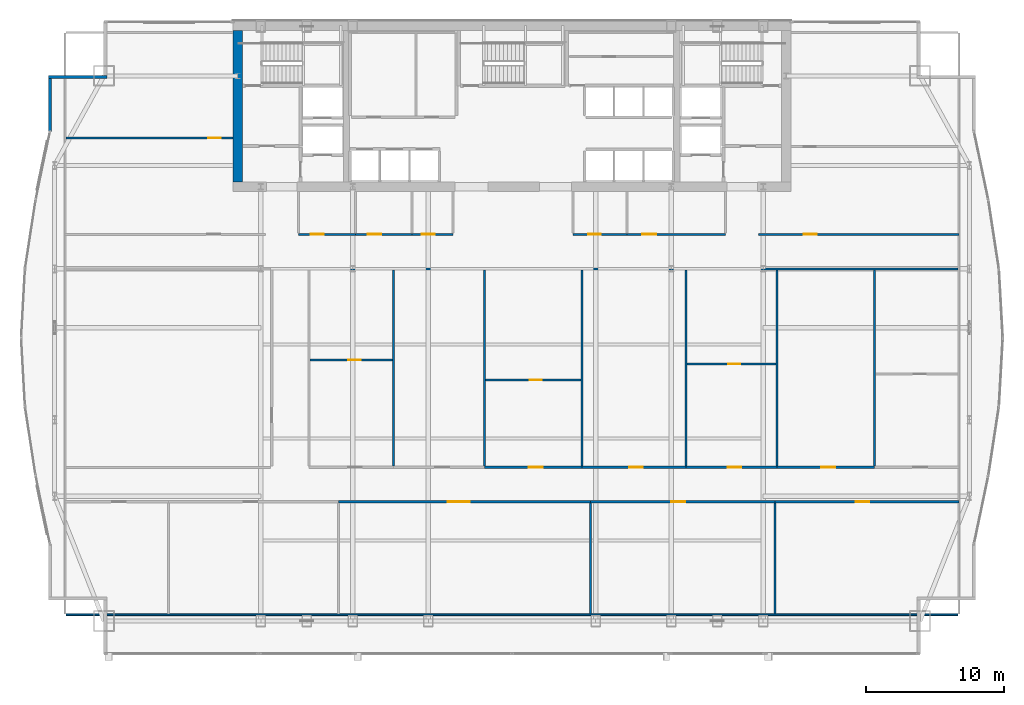
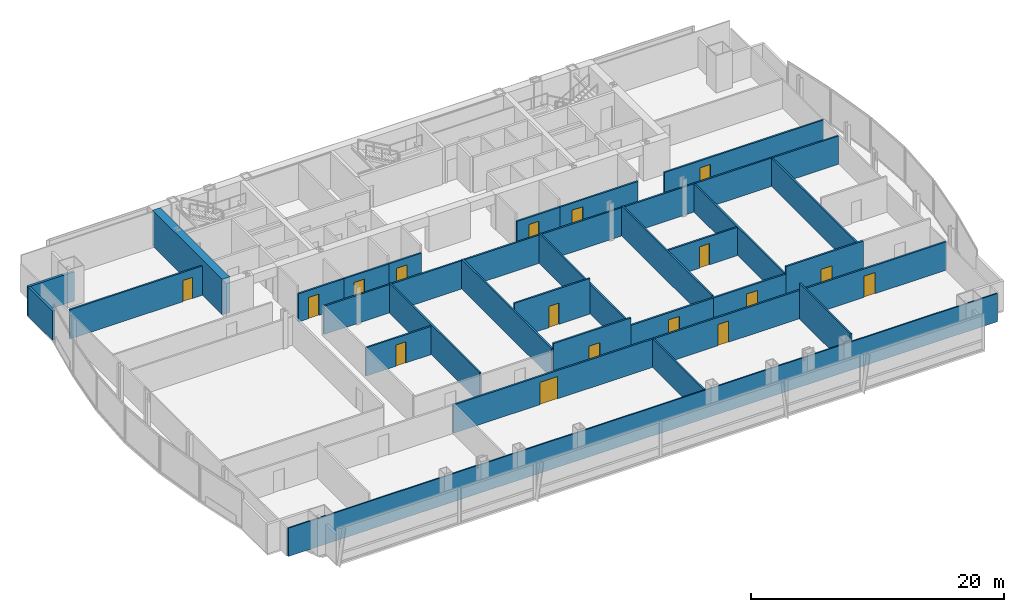
# One storey, part 28 of 33: 30 walls, 17 doors, 17 openings.
"""IFC4 building model written with IfcOpenShell, lengths in metres."""

from ifc_helpers import new_model, si_unit, direction, frame, frame_2d, origin, place, context, subcontext, project, spatial, rectangle, extrude, material, layer, layer_set, type_object, element, fill, save


model = new_model("IFC4")

# Units and contexts
model_context = context("Model", 3, precision=1e-05, world=origin(), true_north=direction((0.0, 1.0)))
body_context = subcontext(model_context, "Body", "Model", "MODEL_VIEW")
ifc_project = project(units=[si_unit("LENGTHUNIT", "METRE"), si_unit("AREAUNIT", "SQUARE_METRE"), si_unit("VOLUMEUNIT", "CUBIC_METRE"), si_unit("PLANEANGLEUNIT", "RADIAN"), si_unit("MASSUNIT", "GRAM", prefix="KILO")], contexts=[model_context])

# Site, building, storey
site_placement = place(None, origin())
site = spatial("IfcSite", under=ifc_project, at=site_placement, CompositionType="ELEMENT")
building_placement = place(site_placement, origin())
building = spatial("IfcBuilding", under=site, at=building_placement, Name="Khoronbel Lancet Exchange", CompositionType="ELEMENT")
storey_placement = place(building_placement, frame((0.0, 0.0, 114.60009765625)))
storey = spatial("IfcBuildingStorey", under=building, at=storey_placement, Name="L27", CompositionType="ELEMENT", Elevation=114.60009765625)

# Walls
ifc_material_1 = material(Name="Concrete C80/95", Category="concrete")
ifc_layer_1 = layer(ifc_material_1, 0.699951171875, Name="Concrete C80/95")
ifc_layer_set_1 = layer_set([ifc_layer_1], Name="Concrete C80/95")
wall_type_1 = type_object("IfcWallType", Name="WL-CW2", PredefinedType="SHEAR", material=ifc_layer_set_1)
wall_1_placement = place(storey_placement, frame((16.550048828125, 42.0, 0.0), z_axis=(0.0, 0.0, 1.0), x_axis=(0.0, 1.0, 0.0)))
element("IfcWall", 1, at=wall_1_placement, inside=storey, type_object=wall_type_1, Name="Level L27 rear core west shear wall", PredefinedType="SHEAR", context=body_context, shape_type="SweptSolid", body=[
    extrude(rectangle(XDim=11.0, YDim=0.699951171875, at=frame_2d((5.5, 0.0))), origin(), (0.0, 0.0, 1.0), 3.43994140625),
])
ifc_material_2 = material(Name="Precast concrete C40/50", Category="concrete")
ifc_layer_2 = layer(ifc_material_2, 0.25, Name="Precast concrete C40/50")
ifc_layer_set_2 = layer_set([ifc_layer_2], Name="Precast concrete C40/50")
wall_type_2 = type_object("IfcWallType", Name="WL-EXT250", PredefinedType="SOLIDWALL", material=ifc_layer_set_2)
wall_2_placement = place(storey_placement, frame((2.93994140625, 45.670654296875, 0.0), z_axis=(0.0, 0.0, 1.0), x_axis=(0.0, 1.0, 0.0)))
element("IfcWall", 2, at=wall_2_placement, inside=storey, type_object=wall_type_2, Name="Level L27 notched-corner limestone pier 10", PredefinedType="SOLIDWALL", context=body_context, shape_type="SweptSolid", body=[
    extrude(rectangle(XDim=3.829345703125, YDim=0.219970703125, at=frame_2d((1.91455078125, 0.0))), origin(), (0.0, 0.0, 1.0), 2.829833984375),
])
wall_3_placement = place(storey_placement, frame((2.830078125, 49.610107421875, 0.0), z_axis=(0.0, 0.0, 1.0), x_axis=(1.0, 0.0, 0.0)))
element("IfcWall", 3, at=wall_3_placement, inside=storey, type_object=wall_type_2, Name="Level L27 notched-corner limestone pier 11", PredefinedType="SOLIDWALL", context=body_context, shape_type="SweptSolid", body=[
    extrude(rectangle(XDim=4.219970703125, YDim=0.219970703125, at=frame_2d((2.10986328125, 0.0))), origin(), (0.0, 0.0, 1.0), 2.829833984375),
])

# Wall, opening, door
ifc_material_3 = material(Name="Acoustic Metal-Stud & Mineral-Wool Gypsum Partition 120 mm", Category="gypsum")
ifc_layer_3 = layer(ifc_material_3, 0.1201171875, Name="Acoustic Metal-Stud & Mineral-Wool Gypsum Partition 120 mm")
ifc_layer_set_3 = layer_set([ifc_layer_3], Name="Acoustic Metal-Stud & Mineral-Wool Gypsum Partition 120 mm")
wall_type_3 = type_object("IfcWallType", Name="WL-PRT120", PredefinedType="PARTITIONING", material=ifc_layer_set_3)
wall_4_placement = place(storey_placement, frame((4.094970703125, 45.199951171875, 0.0), z_axis=(0.0, 0.0, 1.0), x_axis=(1.0, 0.0, 0.0)))
wall_4 = element("IfcWall", 4, at=wall_4_placement, inside=storey, type_object=wall_type_3, Name="Level L27 interior partition PW-NW-H", PredefinedType="PARTITIONING", context=body_context, shape_type="SweptSolid", body=[
    extrude(rectangle(XDim=12.10498046875, YDim=0.14990234375, at=frame_2d((6.052490234375, 0.0))), origin(), (0.0, 0.0, 1.0), 2.829833984375),
])
opening_1_placement = place(wall_4_placement, frame((10.320068359375, 0.0, 0.0)))
opening_1 = element("IfcOpeningElement", 5, at=opening_1_placement, cuts=wall_4, Name="Opening D5", PredefinedType="OPENING", context=body_context, shape_type="SweptSolid", body=[
    extrude(rectangle(XDim=0.89990234375, YDim=2.050048828125, at=frame_2d((0.449951171875, 1.02490234375))), frame((0.0, 0.0849609375, 0.0), z_axis=(0.0, -1.0, 0.0), x_axis=(1.0, 0.0, 0.0)), (0.0, 0.0, 1.0), 0.169921875),
])
ifc_material_4 = material(Name="Acoustic Timber Pantry & Support Door", Category="wood")
door_type_1 = type_object("IfcDoorType", Name="DR-D5", OperationType="NOTDEFINED", PredefinedType="DOOR", material=ifc_material_4)
door_1_placement = place(opening_1_placement, origin())
door_1 = element("IfcDoor", 6, at=door_1_placement, inside=storey, type_object=door_type_1, Name="NW north room door L27-1", OperationType="SINGLE_SWING_RIGHT", OverallHeight=2.050048828125, OverallWidth=0.89990234375, PredefinedType="DOOR", context=body_context, shape_type="SweptSolid", body=[
    extrude(rectangle(XDim=0.89990234375, YDim=2.050048828125, at=frame_2d((0.449951171875, 1.02490234375))), frame((0.0, 0.02490234375, 0.0), z_axis=(0.0, -1.0, 0.0), x_axis=(1.0, 0.0, 0.0)), (0.0, 0.0, 1.0), 0.050048828125),
])
fill(opening_1, door_1)

wall_5_placement = place(storey_placement, frame((21.81005859375, 29.075927734375, 0.0), z_axis=(0.0, 0.0, 1.0), x_axis=(1.0, 0.0, 0.0)))
wall_5 = element("IfcWall", 7, at=wall_5_placement, inside=storey, type_object=wall_type_3, Name="Level L27 interior partition PW-Z2N-H1", PredefinedType="PARTITIONING", context=body_context, shape_type="SweptSolid", body=[
    extrude(rectangle(XDim=5.96826171875, YDim=0.14990234375, at=frame_2d((2.984130859375, 0.0))), origin(), (0.0, 0.0, 1.0), 2.72998046875),
])
opening_2_placement = place(wall_5_placement, frame((2.7578125, 0.0, 0.0)))
opening_2 = element("IfcOpeningElement", 8, at=opening_2_placement, cuts=wall_5, Name="Opening D5", PredefinedType="OPENING", context=body_context, shape_type="SweptSolid", body=[
    extrude(rectangle(XDim=0.89990234375, YDim=2.050048828125, at=frame_2d((0.449951171875, 1.02490234375))), frame((0.0, 0.0849609375, 0.0), z_axis=(0.0, -1.0, 0.0), x_axis=(1.0, 0.0, 0.0)), (0.0, 0.0, 1.0), 0.169921875),
])
door_2_placement = place(opening_2_placement, origin())
door_2 = element("IfcDoor", 9, at=door_2_placement, inside=storey, type_object=door_type_1, Name="Z2N inner door 1 L27-1", OperationType="SINGLE_SWING_RIGHT", OverallHeight=2.050048828125, OverallWidth=0.89990234375, PredefinedType="DOOR", context=body_context, shape_type="SweptSolid", body=[
    extrude(rectangle(XDim=0.89990234375, YDim=2.050048828125, at=frame_2d((0.449951171875, 1.02490234375))), frame((0.0, 0.02490234375, 0.0), z_axis=(0.0, -1.0, 0.0), x_axis=(1.0, 0.0, 0.0)), (0.0, 0.0, 1.0), 0.050048828125),
])
fill(opening_2, door_2)

wall_6_placement = place(storey_placement, frame((34.537841796875, 27.635986328125, 0.0), z_axis=(0.0, 0.0, 1.0), x_axis=(1.0, 0.0, 0.0)))
wall_6 = element("IfcWall", 10, at=wall_6_placement, inside=storey, type_object=wall_type_3, Name="Level L27 interior partition PW-Z2N-H3", PredefinedType="PARTITIONING", context=body_context, shape_type="SweptSolid", body=[
    extrude(rectangle(XDim=6.910888671875, YDim=0.14990234375, at=frame_2d((3.45556640625, 0.0))), origin(), (0.0, 0.0, 1.0), 3.43994140625),
])
opening_3_placement = place(wall_6_placement, frame((3.181884765625, 0.0, 0.0)))
opening_3 = element("IfcOpeningElement", 11, at=opening_3_placement, cuts=wall_6, Name="Opening D5", PredefinedType="OPENING", context=body_context, shape_type="SweptSolid", body=[
    extrude(rectangle(XDim=0.89990234375, YDim=2.050048828125, at=frame_2d((0.449951171875, 1.02490234375))), frame((0.0, 0.0849609375, 0.0), z_axis=(0.0, -1.0, 0.0), x_axis=(1.0, 0.0, 0.0)), (0.0, 0.0, 1.0), 0.169921875),
])
door_3_placement = place(opening_3_placement, origin())
door_3 = element("IfcDoor", 12, at=door_3_placement, inside=storey, type_object=door_type_1, Name="Z2N inner door 3 L27-1", OperationType="SINGLE_SWING_LEFT", OverallHeight=2.050048828125, OverallWidth=0.89990234375, PredefinedType="DOOR", context=body_context, shape_type="SweptSolid", body=[
    extrude(rectangle(XDim=0.89990234375, YDim=2.050048828125, at=frame_2d((0.449951171875, 1.02490234375))), frame((0.0, 0.02490234375, 0.0), z_axis=(0.0, -1.0, 0.0), x_axis=(1.0, 0.0, 0.0)), (0.0, 0.0, 1.0), 0.050048828125),
])
fill(opening_3, door_3)

wall_7_placement = place(storey_placement, frame((49.151123046875, 28.7880859375, 0.0), z_axis=(0.0, 0.0, 1.0), x_axis=(1.0, 0.0, 0.0)))
wall_7 = element("IfcWall", 13, at=wall_7_placement, inside=storey, type_object=wall_type_3, Name="Level L27 interior partition PW-Z2N-H5", PredefinedType="PARTITIONING", context=body_context, shape_type="SweptSolid", body=[
    extrude(rectangle(XDim=6.439697265625, YDim=0.14990234375, at=frame_2d((3.2197265625, 0.0))), origin(), (0.0, 0.0, 1.0), 2.72998046875),
])
opening_4_placement = place(wall_7_placement, frame((2.9697265625, 0.0, 0.0)))
opening_4 = element("IfcOpeningElement", 14, at=opening_4_placement, cuts=wall_7, Name="Opening D5", PredefinedType="OPENING", context=body_context, shape_type="SweptSolid", body=[
    extrude(rectangle(XDim=0.89990234375, YDim=2.050048828125, at=frame_2d((0.449951171875, 1.02490234375))), frame((0.0, 0.0849609375, 0.0), z_axis=(0.0, -1.0, 0.0), x_axis=(1.0, 0.0, 0.0)), (0.0, 0.0, 1.0), 0.169921875),
])
door_4_placement = place(opening_4_placement, origin())
door_4 = element("IfcDoor", 15, at=door_4_placement, inside=storey, type_object=door_type_1, Name="Z2N inner door 5 L27-1", OperationType="SINGLE_SWING_RIGHT", OverallHeight=2.050048828125, OverallWidth=0.89990234375, PredefinedType="DOOR", context=body_context, shape_type="SweptSolid", body=[
    extrude(rectangle(XDim=0.89990234375, YDim=2.050048828125, at=frame_2d((0.449951171875, 1.02490234375))), frame((0.0, 0.02490234375, 0.0), z_axis=(0.0, -1.0, 0.0), x_axis=(1.0, 0.0, 0.0)), (0.0, 0.0, 1.0), 0.050048828125),
])
fill(opening_4, door_4)

# Wall
wall_8_placement = place(storey_placement, frame((4.094970703125, 10.60009765625, 0.0), z_axis=(0.0, 0.0, 1.0), x_axis=(1.0, 0.0, 0.0)))
element("IfcWall", 16, at=wall_8_placement, inside=storey, type_object=wall_type_3, Name="Level L27 interior partition PW-LIN-S", PredefinedType="PARTITIONING", context=body_context, shape_type="SweptSolid", body=[
    extrude(rectangle(XDim=64.7099609375, YDim=0.1201171875, at=frame_2d((32.35498046875, 0.0))), origin(), (0.0, 0.0, 1.0), 2.72998046875),
])

# Wall, opening, door
ifc_material_5 = material(Name="Fire-Rated Twin-Stud Acoustic Gypsum Partition 150 mm", Category="gypsum")
ifc_layer_4 = layer(ifc_material_5, 0.14990234375, Name="Fire-Rated Twin-Stud Acoustic Gypsum Partition 150 mm")
ifc_layer_set_4 = layer_set([ifc_layer_4], Name="Fire-Rated Twin-Stud Acoustic Gypsum Partition 150 mm")
wall_type_4 = type_object("IfcWallType", Name="WL-PRT150C", PredefinedType="PARTITIONING", material=ifc_layer_set_4)
wall_9_placement = place(storey_placement, frame((20.949951171875, 38.199951171875, 0.0), z_axis=(0.0, 0.0, 1.0), x_axis=(1.0, 0.0, 0.0)))
wall_9 = element("IfcWall", 17, at=wall_9_placement, inside=storey, type_object=wall_type_4, Name="Level L27 interior partition PW-WC-S1", PredefinedType="PARTITIONING", context=body_context, shape_type="SweptSolid", body=[
    extrude(rectangle(XDim=4.150146484375, YDim=0.14990234375, at=frame_2d((2.0751953125, 0.0))), origin(), (0.0, 0.0, 1.0), 2.72998046875),
])
opening_5_placement = place(wall_9_placement, frame((0.89990234375, 0.0, 0.0)))
opening_5 = element("IfcOpeningElement", 18, at=opening_5_placement, cuts=wall_9, Name="Opening D4", PredefinedType="OPENING", context=body_context, shape_type="SweptSolid", body=[
    extrude(rectangle(XDim=0.949951171875, YDim=2.050048828125, at=frame_2d((0.47509765625, 1.02490234375))), frame((0.0, 0.0849609375, 0.0), z_axis=(0.0, -1.0, 0.0), x_axis=(1.0, 0.0, 0.0)), (0.0, 0.0, 1.0), 0.169921875),
])
ifc_material_6 = material(Name="Moisture-Resistant HPL Washroom Door", Category="wood")
door_type_2 = type_object("IfcDoorType", Name="DR-D4", OperationType="NOTDEFINED", PredefinedType="DOOR", material=ifc_material_6)
door_5_placement = place(opening_5_placement, origin())
door_5 = element("IfcDoor", 19, at=door_5_placement, inside=storey, type_object=door_type_2, Name="Male washroom door L27-1", OperationType="SINGLE_SWING_LEFT", OverallHeight=2.050048828125, OverallWidth=0.949951171875, PredefinedType="DOOR", context=body_context, shape_type="SweptSolid", body=[
    extrude(rectangle(XDim=0.949951171875, YDim=2.050048828125, at=frame_2d((0.47509765625, 1.02490234375))), frame((0.0, 0.02490234375, 0.0), z_axis=(0.0, -1.0, 0.0), x_axis=(1.0, 0.0, 0.0)), (0.0, 0.0, 1.0), 0.050048828125),
])
fill(opening_5, door_5)

wall_10_placement = place(storey_placement, frame((25.10009765625, 38.199951171875, 0.0), z_axis=(0.0, 0.0, 1.0), x_axis=(1.0, 0.0, 0.0)))
wall_10 = element("IfcWall", 20, at=wall_10_placement, inside=storey, type_object=wall_type_4, Name="Level L27 interior partition PW-WC-S2", PredefinedType="PARTITIONING", context=body_context, shape_type="SweptSolid", body=[
    extrude(rectangle(XDim=4.099853515625, YDim=0.14990234375, at=frame_2d((2.0498046875, 0.0))), origin(), (0.0, 0.0, 1.0), 2.72998046875),
])
opening_6_placement = place(wall_10_placement, frame((0.89990234375, 0.0, 0.0)))
opening_6 = element("IfcOpeningElement", 21, at=opening_6_placement, cuts=wall_10, Name="Opening D4", PredefinedType="OPENING", context=body_context, shape_type="SweptSolid", body=[
    extrude(rectangle(XDim=0.949951171875, YDim=2.050048828125, at=frame_2d((0.47509765625, 1.02490234375))), frame((0.0, 0.0849609375, 0.0), z_axis=(0.0, -1.0, 0.0), x_axis=(1.0, 0.0, 0.0)), (0.0, 0.0, 1.0), 0.169921875),
])
door_6_placement = place(opening_6_placement, origin())
door_6 = element("IfcDoor", 22, at=door_6_placement, inside=storey, type_object=door_type_2, Name="Female washroom door L27-1", OperationType="SINGLE_SWING_RIGHT", OverallHeight=2.050048828125, OverallWidth=0.949951171875, PredefinedType="DOOR", context=body_context, shape_type="SweptSolid", body=[
    extrude(rectangle(XDim=0.949951171875, YDim=2.050048828125, at=frame_2d((0.47509765625, 1.02490234375))), frame((0.0, 0.02490234375, 0.0), z_axis=(0.0, -1.0, 0.0), x_axis=(1.0, 0.0, 0.0)), (0.0, 0.0, 1.0), 0.050048828125),
])
fill(opening_6, door_6)

wall_11_placement = place(storey_placement, frame((29.199951171875, 38.199951171875, 0.0), z_axis=(0.0, 0.0, 1.0), x_axis=(1.0, 0.0, 0.0)))
wall_11 = element("IfcWall", 23, at=wall_11_placement, inside=storey, type_object=wall_type_4, Name="Level L27 interior partition PW-WC-S3", PredefinedType="PARTITIONING", context=body_context, shape_type="SweptSolid", body=[
    extrude(rectangle(XDim=2.97998046875, YDim=0.14990234375, at=frame_2d((1.489990234375, 0.0))), origin(), (0.0, 0.0, 1.0), 2.72998046875),
])
opening_7_placement = place(wall_11_placement, frame((0.699951171875, 0.0, 0.0)))
opening_7 = element("IfcOpeningElement", 24, at=opening_7_placement, cuts=wall_11, Name="Opening D4", PredefinedType="OPENING", context=body_context, shape_type="SweptSolid", body=[
    extrude(rectangle(XDim=0.949951171875, YDim=2.050048828125, at=frame_2d((0.47509765625, 1.02490234375))), frame((0.0, 0.0849609375, 0.0), z_axis=(0.0, -1.0, 0.0), x_axis=(1.0, 0.0, 0.0)), (0.0, 0.0, 1.0), 0.169921875),
])
door_7_placement = place(opening_7_placement, origin())
door_7 = element("IfcDoor", 25, at=door_7_placement, inside=storey, type_object=door_type_2, Name="Accessible WC door L27-1", OperationType="SINGLE_SWING_LEFT", OverallHeight=2.050048828125, OverallWidth=0.949951171875, PredefinedType="DOOR", context=body_context, shape_type="SweptSolid", body=[
    extrude(rectangle(XDim=0.949951171875, YDim=2.050048828125, at=frame_2d((0.47509765625, 1.02490234375))), frame((0.0, 0.02490234375, 0.0), z_axis=(0.0, -1.0, 0.0), x_axis=(1.0, 0.0, 0.0)), (0.0, 0.0, 1.0), 0.050048828125),
])
fill(opening_7, door_7)

wall_12_placement = place(storey_placement, frame((40.8798828125, 38.199951171875, 0.0), z_axis=(0.0, 0.0, 1.0), x_axis=(1.0, 0.0, 0.0)))
wall_12 = element("IfcWall", 26, at=wall_12_placement, inside=storey, type_object=wall_type_4, Name="Level L27 interior partition PW-NP-S1", PredefinedType="PARTITIONING", context=body_context, shape_type="SweptSolid", body=[
    extrude(rectangle(XDim=3.920166015625, YDim=0.14990234375, at=frame_2d((1.9599609375, 0.0))), origin(), (0.0, 0.0, 1.0), 2.72998046875),
])
opening_8_placement = place(wall_12_placement, frame((1.10009765625, 0.0, 0.0)))
opening_8 = element("IfcOpeningElement", 27, at=opening_8_placement, cuts=wall_12, Name="Opening D5", PredefinedType="OPENING", context=body_context, shape_type="SweptSolid", body=[
    extrude(rectangle(XDim=0.89990234375, YDim=2.050048828125, at=frame_2d((0.449951171875, 1.02490234375))), frame((0.0, 0.0849609375, 0.0), z_axis=(0.0, -1.0, 0.0), x_axis=(1.0, 0.0, 0.0)), (0.0, 0.0, 1.0), 0.169921875),
])
door_8_placement = place(opening_8_placement, origin())
door_8 = element("IfcDoor", 28, at=door_8_placement, inside=storey, type_object=door_type_1, Name="Floor refreshment pantry door L27-1", OperationType="SINGLE_SWING_RIGHT", OverallHeight=2.050048828125, OverallWidth=0.89990234375, PredefinedType="DOOR", context=body_context, shape_type="SweptSolid", body=[
    extrude(rectangle(XDim=0.89990234375, YDim=2.050048828125, at=frame_2d((0.449951171875, 1.02490234375))), frame((0.0, 0.02490234375, 0.0), z_axis=(0.0, -1.0, 0.0), x_axis=(1.0, 0.0, 0.0)), (0.0, 0.0, 1.0), 0.050048828125),
])
fill(opening_8, door_8)

wall_13_placement = place(storey_placement, frame((44.800048828125, 38.199951171875, 0.0), z_axis=(0.0, 0.0, 1.0), x_axis=(1.0, 0.0, 0.0)))
wall_13 = element("IfcWall", 29, at=wall_13_placement, inside=storey, type_object=wall_type_4, Name="Level L27 interior partition PW-NP-S2", PredefinedType="PARTITIONING", context=body_context, shape_type="SweptSolid", body=[
    extrude(rectangle(XDim=7.14990234375, YDim=0.14990234375, at=frame_2d((3.574951171875, 0.0))), origin(), (0.0, 0.0, 1.0), 2.72998046875),
])
opening_9_placement = place(wall_13_placement, frame((1.10009765625, 0.0, 0.0)))
opening_9 = element("IfcOpeningElement", 30, at=opening_9_placement, cuts=wall_13, Name="Opening D2", PredefinedType="OPENING", context=body_context, shape_type="SweptSolid", body=[
    extrude(rectangle(XDim=1.0, YDim=2.050048828125, at=frame_2d((0.5, 1.02490234375))), frame((0.0, 0.0849609375, 0.0), z_axis=(0.0, -1.0, 0.0), x_axis=(1.0, 0.0, 0.0)), (0.0, 0.0, 1.0), 0.169921875),
])
ifc_material_7 = material(Name="Acoustic Veneered Timber & Bronze Frame Door", Category="wood")
door_type_3 = type_object("IfcDoorType", Name="DR-D2", OperationType="NOTDEFINED", PredefinedType="DOOR", material=ifc_material_7)
door_9_placement = place(opening_9_placement, origin())
door_9 = element("IfcDoor", 31, at=door_9_placement, inside=storey, type_object=door_type_3, Name="Floor store door L27-1", OperationType="SINGLE_SWING_LEFT", OverallHeight=2.050048828125, OverallWidth=1.0, PredefinedType="DOOR", context=body_context, shape_type="SweptSolid", body=[
    extrude(rectangle(XDim=1.0, YDim=2.050048828125, at=frame_2d((0.5, 1.02490234375))), frame((0.0, 0.02490234375, 0.0), z_axis=(0.0, -1.0, 0.0), x_axis=(1.0, 0.0, 0.0)), (0.0, 0.0, 1.0), 0.050048828125),
])
fill(opening_9, door_9)

wall_14_placement = place(storey_placement, frame((54.35009765625, 38.199951171875, 0.0), z_axis=(0.0, 0.0, 1.0), x_axis=(1.0, 0.0, 0.0)))
wall_14 = element("IfcWall", 32, at=wall_14_placement, inside=storey, type_object=wall_type_4, Name="Level L27 interior partition PW-NE-S", PredefinedType="PARTITIONING", context=body_context, shape_type="SweptSolid", body=[
    extrude(rectangle(XDim=14.52001953125, YDim=0.14990234375, at=frame_2d((7.260009765625, 0.0))), origin(), (0.0, 0.0, 1.0), 2.72998046875),
])
opening_10_placement = place(wall_14_placement, frame((3.25, 0.0, 0.0)))
opening_10 = element("IfcOpeningElement", 33, at=opening_10_placement, cuts=wall_14, Name="Opening D1", PredefinedType="OPENING", context=body_context, shape_type="SweptSolid", body=[
    extrude(rectangle(XDim=0.949951171875, YDim=2.050048828125, at=frame_2d((0.47509765625, 1.02490234375))), frame((0.0, 0.0849609375, 0.0), z_axis=(0.0, -1.0, 0.0), x_axis=(1.0, 0.0, 0.0)), (0.0, 0.0, 1.0), 0.169921875),
])
door_type_4 = type_object("IfcDoorType", Name="DR-D1", OperationType="NOTDEFINED", PredefinedType="DOOR", material=ifc_material_7)
door_10_placement = place(opening_10_placement, origin())
door_10 = element("IfcDoor", 34, at=door_10_placement, inside=storey, type_object=door_type_4, Name="NE corner room door L27-1", OperationType="SINGLE_SWING_LEFT", OverallHeight=2.050048828125, OverallWidth=0.949951171875, PredefinedType="DOOR", context=body_context, shape_type="SweptSolid", body=[
    extrude(rectangle(XDim=0.949951171875, YDim=2.050048828125, at=frame_2d((0.47509765625, 1.02490234375))), frame((0.0, 0.02490234375, 0.0), z_axis=(0.0, -1.0, 0.0), x_axis=(1.0, 0.0, 0.0)), (0.0, 0.0, 1.0), 0.050048828125),
])
fill(opening_10, door_10)

# Walls
wall_15_placement = place(storey_placement, frame((42.135986328125, 10.6650390625, 0.0), z_axis=(0.0, 0.0, 1.0), x_axis=(0.0, 1.0, 0.0)))
element("IfcWall", 35, at=wall_15_placement, inside=storey, type_object=wall_type_4, Name="Level L27 interior partition PW-Z2S-V3", PredefinedType="PARTITIONING", context=body_context, shape_type="SweptSolid", body=[
    extrude(rectangle(XDim=8.050048828125, YDim=0.14990234375, at=frame_2d((4.02490234375, 0.0))), origin(), (0.0, 0.0, 1.0), 2.72998046875),
])
wall_16_placement = place(storey_placement, frame((55.51611328125, 10.6650390625, 0.0), z_axis=(0.0, 0.0, 1.0), x_axis=(0.0, 1.0, 0.0)))
element("IfcWall", 36, at=wall_16_placement, inside=storey, type_object=wall_type_4, Name="Level L27 interior partition PW-Z2S-V4", PredefinedType="PARTITIONING", context=body_context, shape_type="SweptSolid", body=[
    extrude(rectangle(XDim=8.050048828125, YDim=0.14990234375, at=frame_2d((4.02490234375, 0.0))), origin(), (0.0, 0.0, 1.0), 3.43994140625),
])
wall_17_placement = place(storey_placement, frame((21.81005859375, 35.699951171875, 0.0), z_axis=(0.0, 0.0, 1.0), x_axis=(1.0, 0.0, 0.0)))
element("IfcWall", 37, at=wall_17_placement, inside=storey, type_object=wall_type_4, Name="Level L27 interior partition PW-Z2-EN", PredefinedType="PARTITIONING", context=body_context, shape_type="SweptSolid", body=[
    extrude(rectangle(XDim=46.994873046875, YDim=0.14990234375, at=frame_2d((23.49755859375, 0.0))), origin(), (0.0, 0.0, 1.0), 2.72998046875),
])
for number, where, z_axis, x_axis, name in (
    (38, (27.858154296875, 21.385009765625, 0.0), (0.0, 0.0, 1.0), (0.0, 1.0, 0.0), "Level L27 interior partition PW-Z2N-V1"),
    (39, (34.457763671875, 21.385009765625, 0.0), (0.0, 0.0, 1.0), (0.0, 1.0, 0.0), "Level L27 interior partition PW-Z2N-V2"),
    (40, (41.52880859375, 21.385009765625, 0.0), (0.0, 0.0, 1.0), (0.0, 1.0, 0.0), "Level L27 interior partition PW-Z2N-V3"),
    (41, (49.0712890625, 21.385009765625, 0.0), (0.0, 0.0, 1.0), (0.0, 1.0, 0.0), "Level L27 interior partition PW-Z2N-V4"),
):
    element("IfcWall", number, at=place(storey_placement, frame(where, z_axis=z_axis, x_axis=x_axis)), inside=storey, type_object=wall_type_4, Name=name, PredefinedType="PARTITIONING", context=body_context, shape_type="SweptSolid", body=[
        extrude(rectangle(XDim=14.235107421875, YDim=0.14990234375, at=frame_2d((7.11767578125, 0.0))), origin(), (0.0, 0.0, 1.0), 2.8798828125),
    ])
for number, where, z_axis, x_axis, name in (
    (42, (55.6708984375, 21.385009765625, 0.0), (0.0, 0.0, 1.0), (0.0, 1.0, 0.0), "Level L27 interior partition PW-Z2N-V5"),
    (43, (62.74169921875, 21.385009765625, 0.0), (0.0, 0.0, 1.0), (0.0, 1.0, 0.0), "Level L27 interior partition PW-Z2N-V6"),
):
    element("IfcWall", number, at=place(storey_placement, frame(where, z_axis=z_axis, x_axis=x_axis)), inside=storey, type_object=wall_type_4, Name=name, PredefinedType="PARTITIONING", context=body_context, shape_type="SweptSolid", body=[
        extrude(rectangle(XDim=14.235107421875, YDim=0.14990234375, at=frame_2d((7.11767578125, 0.0))), origin(), (0.0, 0.0, 1.0), 2.72998046875),
    ])

# Wall, opening, door
ifc_material_8 = material(Name="Fire-Rated Twin-Stud Acoustic Gypsum Partition 160 mm", Category="gypsum")
ifc_layer_5 = layer(ifc_material_8, 0.159912109375, Name="Fire-Rated Twin-Stud Acoustic Gypsum Partition 160 mm")
ifc_layer_set_5 = layer_set([ifc_layer_5], Name="Fire-Rated Twin-Stud Acoustic Gypsum Partition 160 mm")
wall_type_5 = type_object("IfcWallType", Name="WL-PRT160C", PredefinedType="PARTITIONING", material=ifc_layer_set_5)
wall_18_placement = place(storey_placement, frame((23.87841796875, 18.800048828125, 0.0), z_axis=(0.0, 0.0, 1.0), x_axis=(1.0, 0.0, 0.0)))
wall_18 = element("IfcWall", 44, at=wall_18_placement, inside=storey, type_object=wall_type_5, Name="Level L27 interior partition PW-Z2S-COR3", PredefinedType="PARTITIONING", context=body_context, shape_type="SweptSolid", body=[
    extrude(rectangle(XDim=18.257568359375, YDim=0.159912109375, at=frame_2d((9.12890625, 0.0))), origin(), (0.0, 0.0, 1.0), 2.72998046875),
])
opening_11_placement = place(wall_18_placement, frame((7.918212890625, 0.0, 0.0)))
opening_11 = element("IfcOpeningElement", 45, at=opening_11_placement, cuts=wall_18, Name="Opening D3", PredefinedType="OPENING", context=body_context, shape_type="SweptSolid", body=[
    extrude(rectangle(XDim=1.60009765625, YDim=2.14990234375, at=frame_2d((0.800048828125, 1.074951171875))), frame((0.0, 0.08984375, 0.0), z_axis=(0.0, -1.0, 0.0), x_axis=(1.0, 0.0, 0.0)), (0.0, 0.0, 1.0), 0.179931640625),
])
ifc_material_9 = material(Name="Glazed Bronze-Framed Double Suite Door", Category="aluminium")
door_type_5 = type_object("IfcDoorType", Name="DR-D3", OperationType="NOTDEFINED", PredefinedType="DOOR", material=ifc_material_9)
door_11_placement = place(opening_11_placement, origin())
door_11 = element("IfcDoor", 46, at=door_11_placement, inside=storey, type_object=door_type_5, Name="Z2S bay 3 door L27-1", OperationType="DOUBLE_DOOR_SINGLE_SWING", OverallHeight=2.14990234375, OverallWidth=1.60009765625, PredefinedType="DOOR", context=body_context, shape_type="SweptSolid", body=[
    extrude(rectangle(XDim=1.60009765625, YDim=2.14990234375, at=frame_2d((0.800048828125, 1.074951171875))), frame((0.0, 0.02490234375, 0.0), z_axis=(0.0, -1.0, 0.0), x_axis=(1.0, 0.0, 0.0)), (0.0, 0.0, 1.0), 0.050048828125),
])
fill(opening_11, door_11)

wall_19_placement = place(storey_placement, frame((42.135986328125, 18.800048828125, 0.0), z_axis=(0.0, 0.0, 1.0), x_axis=(1.0, 0.0, 0.0)))
wall_19 = element("IfcWall", 47, at=wall_19_placement, inside=storey, type_object=wall_type_5, Name="Level L27 interior partition PW-Z2S-COR4", PredefinedType="PARTITIONING", context=body_context, shape_type="SweptSolid", body=[
    extrude(rectangle(XDim=13.380126953125, YDim=0.159912109375, at=frame_2d((6.68994140625, 0.0))), origin(), (0.0, 0.0, 1.0), 2.72998046875),
])
opening_12_placement = place(wall_19_placement, frame((5.86962890625, 0.0, 0.0)))
opening_12 = element("IfcOpeningElement", 48, at=opening_12_placement, cuts=wall_19, Name="Opening D2", PredefinedType="OPENING", context=body_context, shape_type="SweptSolid", body=[
    extrude(rectangle(XDim=1.0, YDim=2.050048828125, at=frame_2d((0.5, 1.02490234375))), frame((0.0, 0.08984375, 0.0), z_axis=(0.0, -1.0, 0.0), x_axis=(1.0, 0.0, 0.0)), (0.0, 0.0, 1.0), 0.179931640625),
])
door_12_placement = place(opening_12_placement, origin())
door_12 = element("IfcDoor", 49, at=door_12_placement, inside=storey, type_object=door_type_3, Name="Z2S bay 4 door L27-1", OperationType="SINGLE_SWING_RIGHT", OverallHeight=2.050048828125, OverallWidth=1.0, PredefinedType="DOOR", context=body_context, shape_type="SweptSolid", body=[
    extrude(rectangle(XDim=1.0, YDim=2.050048828125, at=frame_2d((0.5, 1.02490234375))), frame((0.0, 0.02490234375, 0.0), z_axis=(0.0, -1.0, 0.0), x_axis=(1.0, 0.0, 0.0)), (0.0, 0.0, 1.0), 0.050048828125),
])
fill(opening_12, door_12)

wall_20_placement = place(storey_placement, frame((55.51611328125, 18.800048828125, 0.0), z_axis=(0.0, 0.0, 1.0), x_axis=(1.0, 0.0, 0.0)))
wall_20 = element("IfcWall", 50, at=wall_20_placement, inside=storey, type_object=wall_type_5, Name="Level L27 interior partition PW-Z2S-COR5", PredefinedType="PARTITIONING", context=body_context, shape_type="SweptSolid", body=[
    extrude(rectangle(XDim=13.35400390625, YDim=0.159912109375, at=frame_2d((6.677001953125, 0.0))), origin(), (0.0, 0.0, 1.0), 2.72998046875),
])
opening_13_placement = place(wall_20_placement, frame((5.858642578125, 0.0, 0.0)))
opening_13 = element("IfcOpeningElement", 51, at=opening_13_placement, cuts=wall_20, Name="Opening D2", PredefinedType="OPENING", context=body_context, shape_type="SweptSolid", body=[
    extrude(rectangle(XDim=1.0, YDim=2.050048828125, at=frame_2d((0.5, 1.02490234375))), frame((0.0, 0.08984375, 0.0), z_axis=(0.0, -1.0, 0.0), x_axis=(1.0, 0.0, 0.0)), (0.0, 0.0, 1.0), 0.179931640625),
])
door_13_placement = place(opening_13_placement, origin())
door_13 = element("IfcDoor", 52, at=door_13_placement, inside=storey, type_object=door_type_3, Name="Z2S bay 5 door L27-1", OperationType="SINGLE_SWING_LEFT", OverallHeight=2.050048828125, OverallWidth=1.0, PredefinedType="DOOR", context=body_context, shape_type="SweptSolid", body=[
    extrude(rectangle(XDim=1.0, YDim=2.050048828125, at=frame_2d((0.5, 1.02490234375))), frame((0.0, 0.02490234375, 0.0), z_axis=(0.0, -1.0, 0.0), x_axis=(1.0, 0.0, 0.0)), (0.0, 0.0, 1.0), 0.050048828125),
])
fill(opening_13, door_13)

wall_21_placement = place(storey_placement, frame((34.457763671875, 21.300048828125, 0.0), z_axis=(0.0, 0.0, 1.0), x_axis=(1.0, 0.0, 0.0)))
wall_21 = element("IfcWall", 53, at=wall_21_placement, inside=storey, type_object=wall_type_5, Name="Level L27 interior partition PW-Z2N-COR3", PredefinedType="PARTITIONING", context=body_context, shape_type="SweptSolid", body=[
    extrude(rectangle(XDim=7.071044921875, YDim=0.159912109375, at=frame_2d((3.53564453125, 0.0))), origin(), (0.0, 0.0, 1.0), 3.43994140625),
])
opening_14_placement = place(wall_21_placement, frame((3.2197265625, 0.0, 0.0)))
opening_14 = element("IfcOpeningElement", 54, at=opening_14_placement, cuts=wall_21, Name="Opening D2", PredefinedType="OPENING", context=body_context, shape_type="SweptSolid", body=[
    extrude(rectangle(XDim=1.0, YDim=2.050048828125, at=frame_2d((0.5, 1.02490234375))), frame((0.0, 0.08984375, 0.0), z_axis=(0.0, -1.0, 0.0), x_axis=(1.0, 0.0, 0.0)), (0.0, 0.0, 1.0), 0.179931640625),
])
door_14_placement = place(opening_14_placement, origin())
door_14 = element("IfcDoor", 55, at=door_14_placement, inside=storey, type_object=door_type_3, Name="Z2N bay 3 door L27-1", OperationType="SINGLE_SWING_RIGHT", OverallHeight=2.050048828125, OverallWidth=1.0, PredefinedType="DOOR", context=body_context, shape_type="SweptSolid", body=[
    extrude(rectangle(XDim=1.0, YDim=2.050048828125, at=frame_2d((0.5, 1.02490234375))), frame((0.0, 0.02490234375, 0.0), z_axis=(0.0, -1.0, 0.0), x_axis=(1.0, 0.0, 0.0)), (0.0, 0.0, 1.0), 0.050048828125),
])
fill(opening_14, door_14)

wall_22_placement = place(storey_placement, frame((41.52880859375, 21.300048828125, 0.0), z_axis=(0.0, 0.0, 1.0), x_axis=(1.0, 0.0, 0.0)))
wall_22 = element("IfcWall", 56, at=wall_22_placement, inside=storey, type_object=wall_type_5, Name="Level L27 interior partition PW-Z2N-COR4", PredefinedType="PARTITIONING", context=body_context, shape_type="SweptSolid", body=[
    extrude(rectangle(XDim=7.54248046875, YDim=0.159912109375, at=frame_2d((3.771240234375, 0.0))), origin(), (0.0, 0.0, 1.0), 2.72998046875),
])
opening_15_placement = place(wall_22_placement, frame((3.417724609375, 0.0, 0.0)))
opening_15 = element("IfcOpeningElement", 57, at=opening_15_placement, cuts=wall_22, Name="Opening D2", PredefinedType="OPENING", context=body_context, shape_type="SweptSolid", body=[
    extrude(rectangle(XDim=1.0, YDim=2.050048828125, at=frame_2d((0.5, 1.02490234375))), frame((0.0, 0.08984375, 0.0), z_axis=(0.0, -1.0, 0.0), x_axis=(1.0, 0.0, 0.0)), (0.0, 0.0, 1.0), 0.179931640625),
])
door_15_placement = place(opening_15_placement, origin())
door_15 = element("IfcDoor", 58, at=door_15_placement, inside=storey, type_object=door_type_3, Name="Z2N bay 4 door L27-1", OperationType="SINGLE_SWING_RIGHT", OverallHeight=2.050048828125, OverallWidth=1.0, PredefinedType="DOOR", context=body_context, shape_type="SweptSolid", body=[
    extrude(rectangle(XDim=1.0, YDim=2.050048828125, at=frame_2d((0.5, 1.02490234375))), frame((0.0, 0.02490234375, 0.0), z_axis=(0.0, -1.0, 0.0), x_axis=(1.0, 0.0, 0.0)), (0.0, 0.0, 1.0), 0.050048828125),
])
fill(opening_15, door_15)

wall_23_placement = place(storey_placement, frame((49.0712890625, 21.300048828125, 0.0), z_axis=(0.0, 0.0, 1.0), x_axis=(1.0, 0.0, 0.0)))
wall_23 = element("IfcWall", 59, at=wall_23_placement, inside=storey, type_object=wall_type_5, Name="Level L27 interior partition PW-Z2N-COR5", PredefinedType="PARTITIONING", context=body_context, shape_type="SweptSolid", body=[
    extrude(rectangle(XDim=6.599609375, YDim=0.159912109375, at=frame_2d((3.2998046875, 0.0))), origin(), (0.0, 0.0, 1.0), 2.72998046875),
])
opening_16_placement = place(wall_23_placement, frame((3.021728515625, 0.0, 0.0)))
opening_16 = element("IfcOpeningElement", 60, at=opening_16_placement, cuts=wall_23, Name="Opening D2", PredefinedType="OPENING", context=body_context, shape_type="SweptSolid", body=[
    extrude(rectangle(XDim=1.0, YDim=2.050048828125, at=frame_2d((0.5, 1.02490234375))), frame((0.0, 0.08984375, 0.0), z_axis=(0.0, -1.0, 0.0), x_axis=(1.0, 0.0, 0.0)), (0.0, 0.0, 1.0), 0.179931640625),
])
door_16_placement = place(opening_16_placement, origin())
door_16 = element("IfcDoor", 61, at=door_16_placement, inside=storey, type_object=door_type_3, Name="Z2N bay 5 door L27-1", OperationType="SINGLE_SWING_LEFT", OverallHeight=2.050048828125, OverallWidth=1.0, PredefinedType="DOOR", context=body_context, shape_type="SweptSolid", body=[
    extrude(rectangle(XDim=1.0, YDim=2.050048828125, at=frame_2d((0.5, 1.02490234375))), frame((0.0, 0.02490234375, 0.0), z_axis=(0.0, -1.0, 0.0), x_axis=(1.0, 0.0, 0.0)), (0.0, 0.0, 1.0), 0.050048828125),
])
fill(opening_16, door_16)

wall_24_placement = place(storey_placement, frame((55.6708984375, 21.300048828125, 0.0), z_axis=(0.0, 0.0, 1.0), x_axis=(1.0, 0.0, 0.0)))
wall_24 = element("IfcWall", 62, at=wall_24_placement, inside=storey, type_object=wall_type_5, Name="Level L27 interior partition PW-Z2N-COR6", PredefinedType="PARTITIONING", context=body_context, shape_type="SweptSolid", body=[
    extrude(rectangle(XDim=7.07080078125, YDim=0.159912109375, at=frame_2d((3.535400390625, 0.0))), origin(), (0.0, 0.0, 1.0), 3.43994140625),
])
opening_17_placement = place(wall_24_placement, frame((3.2197265625, 0.0, 0.0)))
opening_17 = element("IfcOpeningElement", 63, at=opening_17_placement, cuts=wall_24, Name="Opening D2", PredefinedType="OPENING", context=body_context, shape_type="SweptSolid", body=[
    extrude(rectangle(XDim=1.0, YDim=2.050048828125, at=frame_2d((0.5, 1.02490234375))), frame((0.0, 0.08984375, 0.0), z_axis=(0.0, -1.0, 0.0), x_axis=(1.0, 0.0, 0.0)), (0.0, 0.0, 1.0), 0.179931640625),
])
door_17_placement = place(opening_17_placement, origin())
door_17 = element("IfcDoor", 64, at=door_17_placement, inside=storey, type_object=door_type_3, Name="Z2N bay 6 door L27-1", OperationType="SINGLE_SWING_LEFT", OverallHeight=2.050048828125, OverallWidth=1.0, PredefinedType="DOOR", context=body_context, shape_type="SweptSolid", body=[
    extrude(rectangle(XDim=1.0, YDim=2.050048828125, at=frame_2d((0.5, 1.02490234375))), frame((0.0, 0.02490234375, 0.0), z_axis=(0.0, -1.0, 0.0), x_axis=(1.0, 0.0, 0.0)), (0.0, 0.0, 1.0), 0.050048828125),
])
fill(opening_17, door_17)

save(model, "model.ifc")
